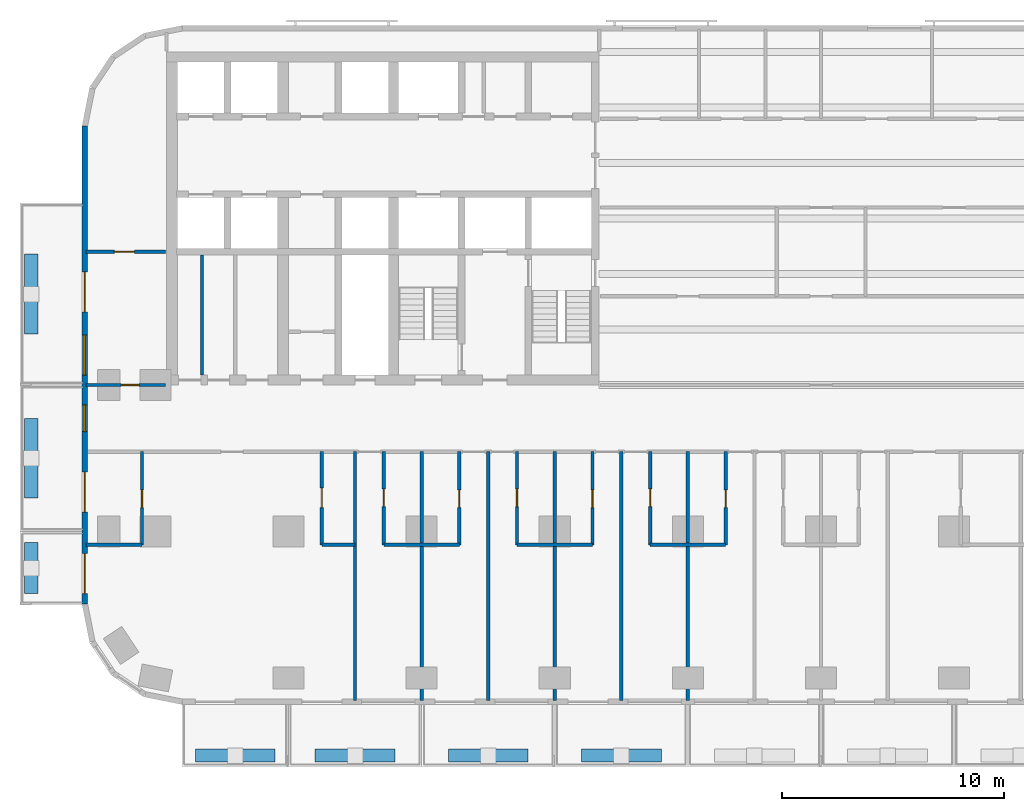
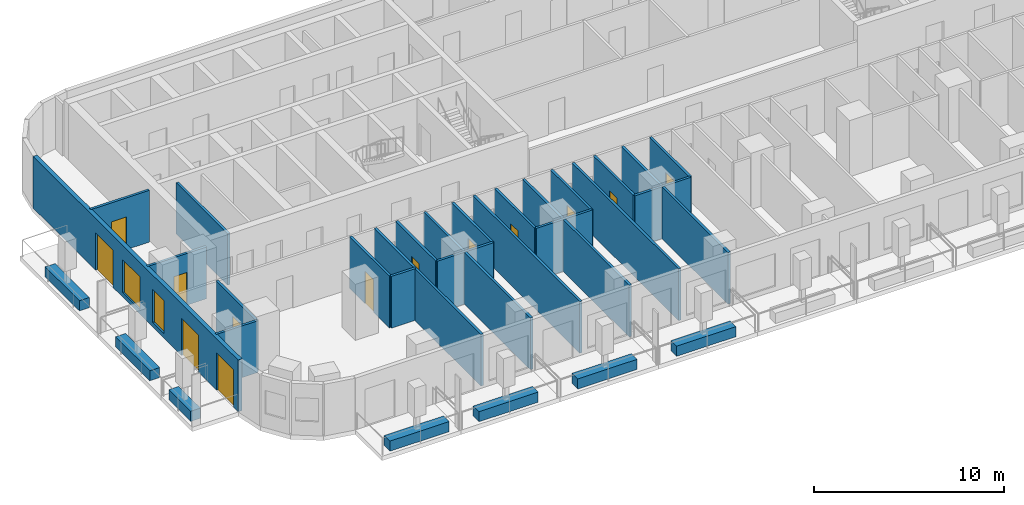
# One storey, part 2 of 15: 30 walls, 13 doors, 2 windows, 15 openings.
"""IFC4 building model written with IfcOpenShell, lengths in metres."""

from ifc_helpers import new_model, si_unit, direction, frame, frame_2d, origin, place, context, subcontext, project, spatial, rectangle, extrude, material, layer, layer_set, type_object, element, fill, save


model = new_model("IFC4")

# Units and contexts
model_context = context("Model", 3, precision=1e-05, world=origin(), true_north=direction((0.0, 1.0)))
body_context = subcontext(model_context, "Body", "Model", "MODEL_VIEW")
ifc_project = project(units=[si_unit("LENGTHUNIT", "METRE"), si_unit("AREAUNIT", "SQUARE_METRE"), si_unit("VOLUMEUNIT", "CUBIC_METRE"), si_unit("PLANEANGLEUNIT", "RADIAN"), si_unit("MASSUNIT", "GRAM", prefix="KILO")], contexts=[model_context])

# Site, building, storey
site_placement = place(None, origin())
site = spatial("IfcSite", under=ifc_project, at=site_placement, CompositionType="ELEMENT")
building_placement = place(site_placement, origin())
building = spatial("IfcBuilding", under=site, at=building_placement, Name="Torana Hotel and Residences", CompositionType="ELEMENT")
storey_placement = place(building_placement, frame((0.0, 0.0, 42.0)))
storey = spatial("IfcBuildingStorey", under=building, at=storey_placement, Name="L09", CompositionType="ELEMENT", Elevation=42.0)

# Wall, openings, doors, windows
ifc_material_1 = material(Name="Black aluminium composite panel", Category="aluminium")
ifc_layer_1 = layer(ifc_material_1, 0.00390625, Name="Cladding", Category="cladding")
ifc_material_2 = material(Name="Ventilated air cavity")
ifc_layer_2 = layer(ifc_material_2, 0.0400390625, Name="Ventilated cavity", Category="cavity")
ifc_material_3 = material(Name="Mineral wool insulation")
ifc_layer_3 = layer(ifc_material_3, 0.090087890625, Name="Insulation", Category="insulation")
ifc_material_4 = material(Name="Steel S280GD", Category="steel")
ifc_layer_4 = layer(ifc_material_4, 0.092041015625, Name="Steel stud frame", Category="structure")
ifc_material_5 = material(Name="Fire rated plasterboard")
ifc_layer_5 = layer(ifc_material_5, 0.011962890625, Name="Inner board", Category="finish")
ifc_layer_6 = layer(ifc_material_5, 0.011962890625, Name="Second board", Category="finish")
ifc_layer_set_1 = layer_set([ifc_layer_1, ifc_layer_2, ifc_layer_3, ifc_layer_4, ifc_layer_5, ifc_layer_6], Name="EW1 EXTERNAL WALL BLACK METAL CLAD 250")
wall_type_1 = type_object("IfcWallType", Name="EW1 EXTERNAL WALL BLACK METAL CLAD 250", PredefinedType="SOLIDWALL", material=ifc_layer_set_1)
wall_1_placement = place(storey_placement, frame((-33.175048828125, -3.32470703125, 0.0), z_axis=(0.0, 0.0, 1.0), x_axis=(0.0, -1.0, 0.0)))
wall_1 = element("IfcWall", 1, at=wall_1_placement, inside=storey, type_object=wall_type_1, Name="External wall L09 e0.9", PredefinedType="SOLIDWALL", context=body_context, shape_type="SweptSolid", body=[
    extrude(rectangle(XDim=21.55078125, YDim=0.25, at=frame_2d((10.775390625, 0.0))), origin(), (0.0, 0.0, 1.0), 3.320068359375),
])
opening_1_placement = place(wall_1_placement, frame((6.575439453125, 0.0, 0.0)))
opening_1 = element("IfcOpeningElement", 2, at=opening_1_placement, cuts=wall_1, Name="Opening L09-E14", PredefinedType="OPENING", context=body_context, shape_type="SweptSolid", body=[
    extrude(rectangle(XDim=1.800048828125, YDim=2.39990234375, at=frame_2d((0.89990234375, 1.199951171875))), frame((0.0, 0.135009765625, 0.0), z_axis=(0.0, -1.0, 0.0), x_axis=(1.0, 0.0, 0.0)), (0.0, 0.0, 1.0), 0.27001953125),
])
opening_2_placement = place(wall_1_placement, frame((9.42529296875, 0.0, 0.300048828125)))
opening_2 = element("IfcOpeningElement", 3, at=opening_2_placement, cuts=wall_1, Name="Opening W2", PredefinedType="OPENING", context=body_context, shape_type="SweptSolid", body=[
    extrude(rectangle(XDim=1.800048828125, YDim=2.10009765625, at=frame_2d((0.89990234375, 1.050048828125))), frame((0.0, 0.135009765625, 0.0), z_axis=(0.0, -1.0, 0.0), x_axis=(1.0, 0.0, 0.0)), (0.0, 0.0, 1.0), 0.27001953125),
])
opening_3_placement = place(wall_1_placement, frame((12.575439453125, 0.0, 0.300048828125)))
opening_3 = element("IfcOpeningElement", 4, at=opening_3_placement, cuts=wall_1, Name="Opening W7", PredefinedType="OPENING", context=body_context, shape_type="SweptSolid", body=[
    extrude(rectangle(XDim=1.199951171875, YDim=2.10009765625, at=frame_2d((0.60009765625, 1.050048828125))), frame((0.0, 0.135009765625, 0.0), z_axis=(0.0, -1.0, 0.0), x_axis=(1.0, 0.0, 0.0)), (0.0, 0.0, 1.0), 0.27001953125),
])
opening_4_placement = place(wall_1_placement, frame((15.600341796875, 0.0, 0.0)))
opening_4 = element("IfcOpeningElement", 5, at=opening_4_placement, cuts=wall_1, Name="Opening L09-E15", PredefinedType="OPENING", context=body_context, shape_type="SweptSolid", body=[
    extrude(rectangle(XDim=1.800048828125, YDim=2.39990234375, at=frame_2d((0.89990234375, 1.199951171875))), frame((0.0, 0.135009765625, 0.0), z_axis=(0.0, -1.0, 0.0), x_axis=(1.0, 0.0, 0.0)), (0.0, 0.0, 1.0), 0.27001953125),
])
opening_5_placement = place(wall_1_placement, frame((19.275390625, 0.0, 0.0)))
opening_5 = element("IfcOpeningElement", 6, at=opening_5_placement, cuts=wall_1, Name="Opening L09-E16", PredefinedType="OPENING", context=body_context, shape_type="SweptSolid", body=[
    extrude(rectangle(XDim=1.800048828125, YDim=2.39990234375, at=frame_2d((0.89990234375, 1.199951171875))), frame((0.0, 0.135009765625, 0.0), z_axis=(0.0, -1.0, 0.0), x_axis=(1.0, 0.0, 0.0)), (0.0, 0.0, 1.0), 0.27001953125),
])
ifc_material_6 = material(Name="Dark glass in black aluminium frame", Category="aluminium")
door_type_1 = type_object("IfcDoorType", Name="DB1 BALCONY DOOR 1800x2400", OperationType="DOUBLE_DOOR_SINGLE_SWING", PredefinedType="DOOR", material=ifc_material_6)
door_1_placement = place(opening_1_placement, origin())
door_1 = element("IfcDoor", 7, at=door_1_placement, inside=storey, type_object=door_type_1, Name="Balcony door L09", OperationType="DOUBLE_DOOR_SINGLE_SWING", OverallHeight=2.39990234375, OverallWidth=1.800048828125, PredefinedType="DOOR", context=body_context, shape_type="SweptSolid", body=[
    extrude(rectangle(XDim=1.800048828125, YDim=2.39990234375, at=frame_2d((0.89990234375, 1.199951171875))), frame((0.0, 0.02490234375, 0.0), z_axis=(0.0, -1.0, 0.0), x_axis=(1.0, 0.0, 0.0)), (0.0, 0.0, 1.0), 0.050048828125),
])
fill(opening_1, door_1)
door_2_placement = place(opening_4_placement, origin())
door_2 = element("IfcDoor", 8, at=door_2_placement, inside=storey, type_object=door_type_1, Name="Balcony door L09", OperationType="DOUBLE_DOOR_SINGLE_SWING", OverallHeight=2.39990234375, OverallWidth=1.800048828125, PredefinedType="DOOR", context=body_context, shape_type="SweptSolid", body=[
    extrude(rectangle(XDim=1.800048828125, YDim=2.39990234375, at=frame_2d((0.89990234375, 1.199951171875))), frame((0.0, 0.02490234375, 0.0), z_axis=(0.0, -1.0, 0.0), x_axis=(1.0, 0.0, 0.0)), (0.0, 0.0, 1.0), 0.050048828125),
])
fill(opening_4, door_2)
door_3_placement = place(opening_5_placement, origin())
door_3 = element("IfcDoor", 9, at=door_3_placement, inside=storey, type_object=door_type_1, Name="Balcony door L09", OperationType="DOUBLE_DOOR_SINGLE_SWING", OverallHeight=2.39990234375, OverallWidth=1.800048828125, PredefinedType="DOOR", context=body_context, shape_type="SweptSolid", body=[
    extrude(rectangle(XDim=1.800048828125, YDim=2.39990234375, at=frame_2d((0.89990234375, 1.199951171875))), frame((0.0, 0.02490234375, 0.0), z_axis=(0.0, -1.0, 0.0), x_axis=(1.0, 0.0, 0.0)), (0.0, 0.0, 1.0), 0.050048828125),
])
fill(opening_5, door_3)
ifc_material_7 = material(Name="Dark glass in black aluminium frame", Category="aluminium")
window_type_1 = type_object("IfcWindowType", Name="W2 HOTEL ROOM WINDOW NARROW 1800x2100", PartitioningType="SINGLE_PANEL", PredefinedType="WINDOW", material=ifc_material_7)
window_1_placement = place(opening_2_placement, origin())
window_1 = element("IfcWindow", 10, at=window_1_placement, inside=storey, type_object=window_type_1, Name="Window L09", OverallHeight=2.10009765625, OverallWidth=1.800048828125, PartitioningType="SINGLE_PANEL", PredefinedType="WINDOW", context=body_context, shape_type="SweptSolid", body=[
    extrude(rectangle(XDim=1.800048828125, YDim=2.10009765625, at=frame_2d((0.89990234375, 1.050048828125))), frame((0.0, 0.030029296875, 0.0), z_axis=(0.0, -1.0, 0.0), x_axis=(1.0, 0.0, 0.0)), (0.0, 0.0, 1.0), 0.06005859375),
])
fill(opening_2, window_1)
ifc_material_8 = material(Name="Dark glass in black aluminium frame", Category="aluminium")
window_type_2 = type_object("IfcWindowType", Name="W7 HOTEL CORRIDOR WINDOW 1200x2100", PartitioningType="SINGLE_PANEL", PredefinedType="WINDOW", material=ifc_material_8)
window_2_placement = place(opening_3_placement, origin())
window_2 = element("IfcWindow", 11, at=window_2_placement, inside=storey, type_object=window_type_2, Name="Window L09", OverallHeight=2.10009765625, OverallWidth=1.199951171875, PartitioningType="SINGLE_PANEL", PredefinedType="WINDOW", context=body_context, shape_type="SweptSolid", body=[
    extrude(rectangle(XDim=1.199951171875, YDim=2.10009765625, at=frame_2d((0.60009765625, 1.050048828125))), frame((0.0, 0.030029296875, 0.0), z_axis=(0.0, -1.0, 0.0), x_axis=(1.0, 0.0, 0.0)), (0.0, 0.0, 1.0), 0.06005859375),
])
fill(opening_3, window_2)

# Wall
ifc_material_9 = material(Name="Gypsum plaster")
ifc_layer_7 = layer(ifc_material_9, 0.014892578125, Name="Plaster", Category="finish")
ifc_material_10 = material(Name="Concrete blockwork", Category="masonry")
ifc_layer_8 = layer(ifc_material_10, 0.1201171875, Name="Blockwork", Category="structure")
ifc_layer_9 = layer(ifc_material_9, 0.014892578125, Name="Plaster", Category="finish")
ifc_layer_set_2 = layer_set([ifc_layer_7, ifc_layer_8, ifc_layer_9], Name="FIRE PARTITION 150 BLOCKWORK")
wall_type_2 = type_object("IfcWallType", Name="FIRE PARTITION 150 BLOCKWORK", PredefinedType="PARTITIONING", material=ifc_layer_set_2)
wall_2_placement = place(storey_placement, frame((-27.89990234375, -14.550048828125, 0.0), z_axis=(0.0, 0.0, 1.0), x_axis=(0.0, 1.0, 0.0)))
element("IfcWall", 12, at=wall_2_placement, inside=storey, type_object=wall_type_2, Name="Core partition L09", PredefinedType="PARTITIONING", context=body_context, shape_type="SweptSolid", body=[
    extrude(rectangle(XDim=5.400146484375, YDim=0.14990234375, at=frame_2d((2.7001953125, 0.0))), origin(), (0.0, 0.0, 1.0), 3.300048828125),
])

# Wall, opening, door
wall_3_placement = place(storey_placement, frame((-33.1201171875, -15.0, 0.0), z_axis=(0.0, 0.0, 1.0), x_axis=(1.0, 0.0, 0.0)))
wall_3 = element("IfcWall", 13, at=wall_3_placement, inside=storey, type_object=wall_type_2, Name="Partition L09", PredefinedType="PARTITIONING", context=body_context, shape_type="SweptSolid", body=[
    extrude(rectangle(XDim=3.570068359375, YDim=0.14990234375, at=frame_2d((1.78515625, 0.0))), origin(), (0.0, 0.0, 1.0), 3.320068359375),
])
opening_6_placement = place(wall_3_placement, frame((1.580078125, 0.0, 0.0)))
opening_6 = element("IfcOpeningElement", 14, at=opening_6_placement, cuts=wall_3, Name="Opening L09-55", PredefinedType="OPENING", context=body_context, shape_type="SweptSolid", body=[
    extrude(rectangle(XDim=0.800048828125, YDim=2.10009765625, at=frame_2d((0.39990234375, 1.050048828125))), frame((0.0, 0.0849609375, 0.0), z_axis=(0.0, -1.0, 0.0), x_axis=(1.0, 0.0, 0.0)), (0.0, 0.0, 1.0), 0.169921875),
])
ifc_material_11 = material(Name="Steel S235", Category="steel")
door_type_2 = type_object("IfcDoorType", Name="STORE FIRE DOOR D16 800x2100", OperationType="SINGLE_SWING_LEFT", PredefinedType="DOOR", material=ifc_material_11)
door_4_placement = place(opening_6_placement, origin())
door_4 = element("IfcDoor", 15, at=door_4_placement, inside=storey, type_object=door_type_2, Name="Door L09", OperationType="SINGLE_SWING_RIGHT", OverallHeight=2.10009765625, OverallWidth=0.800048828125, PredefinedType="DOOR", context=body_context, shape_type="SweptSolid", body=[
    extrude(rectangle(XDim=0.800048828125, YDim=2.10009765625, at=frame_2d((0.39990234375, 1.050048828125))), frame((0.0, 0.02490234375, 0.0), z_axis=(0.0, -1.0, 0.0), x_axis=(1.0, 0.0, 0.0)), (0.0, 0.0, 1.0), 0.050048828125),
])
fill(opening_6, door_4)

ifc_material_12 = material(Name="Gypsum plasterboard")
ifc_layer_10 = layer(ifc_material_12, 0.012451171875, Name="Plasterboard", Category="finish")
ifc_layer_11 = layer(ifc_material_12, 0.012451171875, Name="Plasterboard", Category="finish")
ifc_layer_12 = layer(ifc_material_4, 0.10009765625, Name="Steel studs with mineral wool", Category="insulation")
ifc_layer_13 = layer(ifc_material_12, 0.012451171875, Name="Plasterboard", Category="finish")
ifc_layer_14 = layer(ifc_material_12, 0.012451171875, Name="Plasterboard", Category="finish")
ifc_layer_set_3 = layer_set([ifc_layer_10, ifc_layer_11, ifc_layer_12, ifc_layer_13, ifc_layer_14], Name="PARTITION 150 PLASTERBOARD")
wall_type_3 = type_object("IfcWallType", Name="PARTITION 150 PLASTERBOARD", PredefinedType="PARTITIONING", material=ifc_layer_set_3)
wall_4_placement = place(storey_placement, frame((-4.300048828125, -22.199951171875, 0.0), z_axis=(0.0, 0.0, 1.0), x_axis=(0.0, 1.0, 0.0)))
wall_4 = element("IfcWall", 16, at=wall_4_placement, inside=storey, type_object=wall_type_3, Name="Partition L09", PredefinedType="PARTITIONING", context=body_context, shape_type="SweptSolid", body=[
    extrude(rectangle(XDim=4.199951171875, YDim=0.14990234375, at=frame_2d((2.10009765625, 0.0))), origin(), (0.0, 0.0, 1.0), 3.320068359375),
])
opening_7_placement = place(wall_4_placement, frame((1.679931640625, 0.0, 0.0)))
opening_7 = element("IfcOpeningElement", 17, at=opening_7_placement, cuts=wall_4, Name="Opening L09-71", PredefinedType="OPENING", context=body_context, shape_type="SweptSolid", body=[
    extrude(rectangle(XDim=0.800048828125, YDim=2.10009765625, at=frame_2d((0.39990234375, 1.050048828125))), frame((0.0, 0.0849609375, 0.0), z_axis=(0.0, -1.0, 0.0), x_axis=(1.0, 0.0, 0.0)), (0.0, 0.0, 1.0), 0.169921875),
])
ifc_material_13 = material(Name="Timber door, painted", Category="wood")
door_type_3 = type_object("IfcDoorType", Name="BATH DOOR D13 800x2100", OperationType="SINGLE_SWING_LEFT", PredefinedType="DOOR", material=ifc_material_13)
door_5_placement = place(opening_7_placement, origin())
door_5 = element("IfcDoor", 18, at=door_5_placement, inside=storey, type_object=door_type_3, Name="Door L09", OperationType="SINGLE_SWING_RIGHT", OverallHeight=2.10009765625, OverallWidth=0.800048828125, PredefinedType="DOOR", context=body_context, shape_type="SweptSolid", body=[
    extrude(rectangle(XDim=0.800048828125, YDim=2.10009765625, at=frame_2d((0.39990234375, 1.050048828125))), frame((0.0, 0.02490234375, 0.0), z_axis=(0.0, -1.0, 0.0), x_axis=(1.0, 0.0, 0.0)), (0.0, 0.0, 1.0), 0.050048828125),
])
fill(opening_7, door_5)

# Wall
wall_5_placement = place(storey_placement, frame((-6.0, -29.219970703125, 0.0), z_axis=(0.0, 0.0, 1.0), x_axis=(0.0, 1.0, 0.0)))
element("IfcWall", 19, at=wall_5_placement, inside=storey, type_object=wall_type_3, Name="Partition L09", PredefinedType="PARTITIONING", context=body_context, shape_type="SweptSolid", body=[
    extrude(rectangle(XDim=11.219970703125, YDim=0.14990234375, at=frame_2d((5.60986328125, 0.0))), origin(), (0.0, 0.0, 1.0), 3.320068359375),
])

# Wall, opening, door
wall_6_placement = place(storey_placement, frame((-7.699951171875, -22.199951171875, 0.0), z_axis=(0.0, 0.0, 1.0), x_axis=(0.0, 1.0, 0.0)))
wall_6 = element("IfcWall", 20, at=wall_6_placement, inside=storey, type_object=wall_type_3, Name="Partition L09", PredefinedType="PARTITIONING", context=body_context, shape_type="SweptSolid", body=[
    extrude(rectangle(XDim=4.199951171875, YDim=0.14990234375, at=frame_2d((2.10009765625, 0.0))), origin(), (0.0, 0.0, 1.0), 3.320068359375),
])
opening_8_placement = place(wall_6_placement, frame((1.719970703125, 0.0, 0.0)))
opening_8 = element("IfcOpeningElement", 21, at=opening_8_placement, cuts=wall_6, Name="Opening L09-70", PredefinedType="OPENING", context=body_context, shape_type="SweptSolid", body=[
    extrude(rectangle(XDim=0.800048828125, YDim=2.10009765625, at=frame_2d((0.39990234375, 1.050048828125))), frame((0.0, 0.0849609375, 0.0), z_axis=(0.0, -1.0, 0.0), x_axis=(1.0, 0.0, 0.0)), (0.0, 0.0, 1.0), 0.169921875),
])
door_6_placement = place(opening_8_placement, origin())
door_6 = element("IfcDoor", 22, at=door_6_placement, inside=storey, type_object=door_type_3, Name="Door L09", OperationType="SINGLE_SWING_RIGHT", OverallHeight=2.10009765625, OverallWidth=0.800048828125, PredefinedType="DOOR", context=body_context, shape_type="SweptSolid", body=[
    extrude(rectangle(XDim=0.800048828125, YDim=2.10009765625, at=frame_2d((0.39990234375, 1.050048828125))), frame((0.0, 0.02490234375, 0.0), z_axis=(0.0, -1.0, 0.0), x_axis=(1.0, 0.0, 0.0)), (0.0, 0.0, 1.0), 0.050048828125),
])
fill(opening_8, door_6)

# Wall
wall_7_placement = place(storey_placement, frame((-9.0, -29.219970703125, 0.0), z_axis=(0.0, 0.0, 1.0), x_axis=(0.0, 1.0, 0.0)))
element("IfcWall", 23, at=wall_7_placement, inside=storey, type_object=wall_type_3, Name="Partition L09", PredefinedType="PARTITIONING", context=body_context, shape_type="SweptSolid", body=[
    extrude(rectangle(XDim=11.219970703125, YDim=0.14990234375, at=frame_2d((5.60986328125, 0.0))), origin(), (0.0, 0.0, 1.0), 3.320068359375),
])

# Wall, opening, door
wall_8_placement = place(storey_placement, frame((-10.300048828125, -22.199951171875, 0.0), z_axis=(0.0, 0.0, 1.0), x_axis=(0.0, 1.0, 0.0)))
wall_8 = element("IfcWall", 24, at=wall_8_placement, inside=storey, type_object=wall_type_3, Name="Partition L09", PredefinedType="PARTITIONING", context=body_context, shape_type="SweptSolid", body=[
    extrude(rectangle(XDim=4.199951171875, YDim=0.14990234375, at=frame_2d((2.10009765625, 0.0))), origin(), (0.0, 0.0, 1.0), 3.320068359375),
])
opening_9_placement = place(wall_8_placement, frame((1.679931640625, 0.0, 0.0)))
opening_9 = element("IfcOpeningElement", 25, at=opening_9_placement, cuts=wall_8, Name="Opening L09-69", PredefinedType="OPENING", context=body_context, shape_type="SweptSolid", body=[
    extrude(rectangle(XDim=0.800048828125, YDim=2.10009765625, at=frame_2d((0.39990234375, 1.050048828125))), frame((0.0, 0.0849609375, 0.0), z_axis=(0.0, -1.0, 0.0), x_axis=(1.0, 0.0, 0.0)), (0.0, 0.0, 1.0), 0.169921875),
])
door_7_placement = place(opening_9_placement, origin())
door_7 = element("IfcDoor", 26, at=door_7_placement, inside=storey, type_object=door_type_3, Name="Door L09", OperationType="SINGLE_SWING_RIGHT", OverallHeight=2.10009765625, OverallWidth=0.800048828125, PredefinedType="DOOR", context=body_context, shape_type="SweptSolid", body=[
    extrude(rectangle(XDim=0.800048828125, YDim=2.10009765625, at=frame_2d((0.39990234375, 1.050048828125))), frame((0.0, 0.02490234375, 0.0), z_axis=(0.0, -1.0, 0.0), x_axis=(1.0, 0.0, 0.0)), (0.0, 0.0, 1.0), 0.050048828125),
])
fill(opening_9, door_7)

# Wall
wall_9_placement = place(storey_placement, frame((-12.0, -29.219970703125, 0.0), z_axis=(0.0, 0.0, 1.0), x_axis=(0.0, 1.0, 0.0)))
element("IfcWall", 27, at=wall_9_placement, inside=storey, type_object=wall_type_3, Name="Partition L09", PredefinedType="PARTITIONING", context=body_context, shape_type="SweptSolid", body=[
    extrude(rectangle(XDim=11.219970703125, YDim=0.14990234375, at=frame_2d((5.60986328125, 0.0))), origin(), (0.0, 0.0, 1.0), 3.320068359375),
])

# Wall, opening, door
wall_10_placement = place(storey_placement, frame((-13.699951171875, -22.199951171875, 0.0), z_axis=(0.0, 0.0, 1.0), x_axis=(0.0, 1.0, 0.0)))
wall_10 = element("IfcWall", 28, at=wall_10_placement, inside=storey, type_object=wall_type_3, Name="Partition L09", PredefinedType="PARTITIONING", context=body_context, shape_type="SweptSolid", body=[
    extrude(rectangle(XDim=4.199951171875, YDim=0.14990234375, at=frame_2d((2.10009765625, 0.0))), origin(), (0.0, 0.0, 1.0), 3.320068359375),
])
opening_10_placement = place(wall_10_placement, frame((1.719970703125, 0.0, 0.0)))
opening_10 = element("IfcOpeningElement", 29, at=opening_10_placement, cuts=wall_10, Name="Opening L09-68", PredefinedType="OPENING", context=body_context, shape_type="SweptSolid", body=[
    extrude(rectangle(XDim=0.800048828125, YDim=2.10009765625, at=frame_2d((0.39990234375, 1.050048828125))), frame((0.0, 0.0849609375, 0.0), z_axis=(0.0, -1.0, 0.0), x_axis=(1.0, 0.0, 0.0)), (0.0, 0.0, 1.0), 0.169921875),
])
door_8_placement = place(opening_10_placement, origin())
door_8 = element("IfcDoor", 30, at=door_8_placement, inside=storey, type_object=door_type_3, Name="Door L09", OperationType="SINGLE_SWING_RIGHT", OverallHeight=2.10009765625, OverallWidth=0.800048828125, PredefinedType="DOOR", context=body_context, shape_type="SweptSolid", body=[
    extrude(rectangle(XDim=0.800048828125, YDim=2.10009765625, at=frame_2d((0.39990234375, 1.050048828125))), frame((0.0, 0.02490234375, 0.0), z_axis=(0.0, -1.0, 0.0), x_axis=(1.0, 0.0, 0.0)), (0.0, 0.0, 1.0), 0.050048828125),
])
fill(opening_10, door_8)

# Wall
wall_11_placement = place(storey_placement, frame((-15.0, -29.219970703125, 0.0), z_axis=(0.0, 0.0, 1.0), x_axis=(0.0, 1.0, 0.0)))
element("IfcWall", 31, at=wall_11_placement, inside=storey, type_object=wall_type_3, Name="Partition L09", PredefinedType="PARTITIONING", context=body_context, shape_type="SweptSolid", body=[
    extrude(rectangle(XDim=11.219970703125, YDim=0.14990234375, at=frame_2d((5.60986328125, 0.0))), origin(), (0.0, 0.0, 1.0), 3.320068359375),
])

# Wall, opening, door
wall_12_placement = place(storey_placement, frame((-16.300048828125, -22.199951171875, 0.0), z_axis=(0.0, 0.0, 1.0), x_axis=(0.0, 1.0, 0.0)))
wall_12 = element("IfcWall", 32, at=wall_12_placement, inside=storey, type_object=wall_type_3, Name="Partition L09", PredefinedType="PARTITIONING", context=body_context, shape_type="SweptSolid", body=[
    extrude(rectangle(XDim=4.199951171875, YDim=0.14990234375, at=frame_2d((2.10009765625, 0.0))), origin(), (0.0, 0.0, 1.0), 3.320068359375),
])
opening_11_placement = place(wall_12_placement, frame((1.679931640625, 0.0, 0.0)))
opening_11 = element("IfcOpeningElement", 33, at=opening_11_placement, cuts=wall_12, Name="Opening L09-67", PredefinedType="OPENING", context=body_context, shape_type="SweptSolid", body=[
    extrude(rectangle(XDim=0.800048828125, YDim=2.10009765625, at=frame_2d((0.39990234375, 1.050048828125))), frame((0.0, 0.0849609375, 0.0), z_axis=(0.0, -1.0, 0.0), x_axis=(1.0, 0.0, 0.0)), (0.0, 0.0, 1.0), 0.169921875),
])
door_9_placement = place(opening_11_placement, origin())
door_9 = element("IfcDoor", 34, at=door_9_placement, inside=storey, type_object=door_type_3, Name="Door L09", OperationType="SINGLE_SWING_RIGHT", OverallHeight=2.10009765625, OverallWidth=0.800048828125, PredefinedType="DOOR", context=body_context, shape_type="SweptSolid", body=[
    extrude(rectangle(XDim=0.800048828125, YDim=2.10009765625, at=frame_2d((0.39990234375, 1.050048828125))), frame((0.0, 0.02490234375, 0.0), z_axis=(0.0, -1.0, 0.0), x_axis=(1.0, 0.0, 0.0)), (0.0, 0.0, 1.0), 0.050048828125),
])
fill(opening_11, door_9)

# Wall
wall_13_placement = place(storey_placement, frame((-18.0, -29.219970703125, 0.0), z_axis=(0.0, 0.0, 1.0), x_axis=(0.0, 1.0, 0.0)))
element("IfcWall", 35, at=wall_13_placement, inside=storey, type_object=wall_type_3, Name="Partition L09", PredefinedType="PARTITIONING", context=body_context, shape_type="SweptSolid", body=[
    extrude(rectangle(XDim=11.219970703125, YDim=0.14990234375, at=frame_2d((5.60986328125, 0.0))), origin(), (0.0, 0.0, 1.0), 3.320068359375),
])

# Wall, opening, door
wall_14_placement = place(storey_placement, frame((-19.699951171875, -22.199951171875, 0.0), z_axis=(0.0, 0.0, 1.0), x_axis=(0.0, 1.0, 0.0)))
wall_14 = element("IfcWall", 36, at=wall_14_placement, inside=storey, type_object=wall_type_3, Name="Partition L09", PredefinedType="PARTITIONING", context=body_context, shape_type="SweptSolid", body=[
    extrude(rectangle(XDim=4.199951171875, YDim=0.14990234375, at=frame_2d((2.10009765625, 0.0))), origin(), (0.0, 0.0, 1.0), 3.320068359375),
])
opening_12_placement = place(wall_14_placement, frame((1.719970703125, 0.0, 0.0)))
opening_12 = element("IfcOpeningElement", 37, at=opening_12_placement, cuts=wall_14, Name="Opening L09-66", PredefinedType="OPENING", context=body_context, shape_type="SweptSolid", body=[
    extrude(rectangle(XDim=0.800048828125, YDim=2.10009765625, at=frame_2d((0.39990234375, 1.050048828125))), frame((0.0, 0.0849609375, 0.0), z_axis=(0.0, -1.0, 0.0), x_axis=(1.0, 0.0, 0.0)), (0.0, 0.0, 1.0), 0.169921875),
])
door_10_placement = place(opening_12_placement, origin())
door_10 = element("IfcDoor", 38, at=door_10_placement, inside=storey, type_object=door_type_3, Name="Door L09", OperationType="SINGLE_SWING_RIGHT", OverallHeight=2.10009765625, OverallWidth=0.800048828125, PredefinedType="DOOR", context=body_context, shape_type="SweptSolid", body=[
    extrude(rectangle(XDim=0.800048828125, YDim=2.10009765625, at=frame_2d((0.39990234375, 1.050048828125))), frame((0.0, 0.02490234375, 0.0), z_axis=(0.0, -1.0, 0.0), x_axis=(1.0, 0.0, 0.0)), (0.0, 0.0, 1.0), 0.050048828125),
])
fill(opening_12, door_10)

# Wall
wall_15_placement = place(storey_placement, frame((-21.0, -29.219970703125, 0.0), z_axis=(0.0, 0.0, 1.0), x_axis=(0.0, 1.0, 0.0)))
element("IfcWall", 39, at=wall_15_placement, inside=storey, type_object=wall_type_3, Name="Partition L09", PredefinedType="PARTITIONING", context=body_context, shape_type="SweptSolid", body=[
    extrude(rectangle(XDim=11.219970703125, YDim=0.14990234375, at=frame_2d((5.60986328125, 0.0))), origin(), (0.0, 0.0, 1.0), 3.320068359375),
])

# Wall, opening, door
wall_16_placement = place(storey_placement, frame((-22.5, -22.199951171875, 0.0), z_axis=(0.0, 0.0, 1.0), x_axis=(0.0, 1.0, 0.0)))
wall_16 = element("IfcWall", 40, at=wall_16_placement, inside=storey, type_object=wall_type_3, Name="Partition L09", PredefinedType="PARTITIONING", context=body_context, shape_type="SweptSolid", body=[
    extrude(rectangle(XDim=4.199951171875, YDim=0.14990234375, at=frame_2d((2.10009765625, 0.0))), origin(), (0.0, 0.0, 1.0), 3.320068359375),
])
opening_13_placement = place(wall_16_placement, frame((1.669921875, 0.0, 0.0)))
opening_13 = element("IfcOpeningElement", 41, at=opening_13_placement, cuts=wall_16, Name="Opening L09-80", PredefinedType="OPENING", context=body_context, shape_type="SweptSolid", body=[
    extrude(rectangle(XDim=0.89990234375, YDim=2.10009765625, at=frame_2d((0.449951171875, 1.050048828125))), frame((0.0, 0.0849609375, 0.0), z_axis=(0.0, -1.0, 0.0), x_axis=(1.0, 0.0, 0.0)), (0.0, 0.0, 1.0), 0.169921875),
])
ifc_material_14 = material(Name="Timber door, oiled ash", Category="wood")
door_type_4 = type_object("IfcDoorType", Name="ROOM DOOR D7 900x2100", OperationType="SINGLE_SWING_LEFT", PredefinedType="DOOR", material=ifc_material_14)
door_11_placement = place(opening_13_placement, origin())
door_11 = element("IfcDoor", 42, at=door_11_placement, inside=storey, type_object=door_type_4, Name="Door L09", OperationType="SINGLE_SWING_RIGHT", OverallHeight=2.10009765625, OverallWidth=0.89990234375, PredefinedType="DOOR", context=body_context, shape_type="SweptSolid", body=[
    extrude(rectangle(XDim=0.89990234375, YDim=2.10009765625, at=frame_2d((0.449951171875, 1.050048828125))), frame((0.0, 0.02490234375, 0.0), z_axis=(0.0, -1.0, 0.0), x_axis=(1.0, 0.0, 0.0)), (0.0, 0.0, 1.0), 0.050048828125),
])
fill(opening_13, door_11)

wall_17_placement = place(storey_placement, frame((-30.60009765625, -22.199951171875, 0.0), z_axis=(0.0, 0.0, 1.0), x_axis=(0.0, 1.0, 0.0)))
wall_17 = element("IfcWall", 43, at=wall_17_placement, inside=storey, type_object=wall_type_3, Name="Partition L09", PredefinedType="PARTITIONING", context=body_context, shape_type="SweptSolid", body=[
    extrude(rectangle(XDim=4.199951171875, YDim=0.14990234375, at=frame_2d((2.10009765625, 0.0))), origin(), (0.0, 0.0, 1.0), 3.320068359375),
])
opening_14_placement = place(wall_17_placement, frame((1.679931640625, 0.0, 0.0)))
opening_14 = element("IfcOpeningElement", 44, at=opening_14_placement, cuts=wall_17, Name="Opening L09-81", PredefinedType="OPENING", context=body_context, shape_type="SweptSolid", body=[
    extrude(rectangle(XDim=0.800048828125, YDim=2.10009765625, at=frame_2d((0.39990234375, 1.050048828125))), frame((0.0, 0.0849609375, 0.0), z_axis=(0.0, -1.0, 0.0), x_axis=(1.0, 0.0, 0.0)), (0.0, 0.0, 1.0), 0.169921875),
])
door_12_placement = place(opening_14_placement, origin())
door_12 = element("IfcDoor", 45, at=door_12_placement, inside=storey, type_object=door_type_3, Name="Door L09", OperationType="SINGLE_SWING_RIGHT", OverallHeight=2.10009765625, OverallWidth=0.800048828125, PredefinedType="DOOR", context=body_context, shape_type="SweptSolid", body=[
    extrude(rectangle(XDim=0.800048828125, YDim=2.10009765625, at=frame_2d((0.39990234375, 1.050048828125))), frame((0.0, 0.02490234375, 0.0), z_axis=(0.0, -1.0, 0.0), x_axis=(1.0, 0.0, 0.0)), (0.0, 0.0, 1.0), 0.050048828125),
])
fill(opening_14, door_12)

# Walls
wall_18_placement = place(storey_placement, frame((-33.1201171875, -22.199951171875, 0.0), z_axis=(0.0, 0.0, 1.0), x_axis=(1.0, 0.0, 0.0)))
element("IfcWall", 46, at=wall_18_placement, inside=storey, type_object=wall_type_3, Name="Partition L09", PredefinedType="PARTITIONING", context=body_context, shape_type="SweptSolid", body=[
    extrude(rectangle(XDim=2.52001953125, YDim=0.14990234375, at=frame_2d((1.260009765625, 0.0))), origin(), (0.0, 0.0, 1.0), 3.320068359375),
])
wall_19_placement = place(storey_placement, frame((-22.5, -22.199951171875, 0.0), z_axis=(0.0, 0.0, 1.0), x_axis=(1.0, 0.0, 0.0)))
element("IfcWall", 47, at=wall_19_placement, inside=storey, type_object=wall_type_3, Name="Partition L09", PredefinedType="PARTITIONING", context=body_context, shape_type="SweptSolid", body=[
    extrude(rectangle(XDim=1.5, YDim=0.14990234375, at=frame_2d((0.75, 0.0))), origin(), (0.0, 0.0, 1.0), 3.320068359375),
])
for number, where, z_axis, x_axis, name in (
    (48, (-19.699951171875, -22.199951171875, 0.0), (0.0, 0.0, 1.0), (1.0, 0.0, 0.0), "Partition L09"),
    (49, (-13.699951171875, -22.199951171875, 0.0), (0.0, 0.0, 1.0), (1.0, 0.0, 0.0), "Partition L09"),
    (50, (-7.699951171875, -22.199951171875, 0.0), (0.0, 0.0, 1.0), (1.0, 0.0, 0.0), "Partition L09"),
):
    element("IfcWall", number, at=place(storey_placement, frame(where, z_axis=z_axis, x_axis=x_axis)), inside=storey, type_object=wall_type_3, Name=name, PredefinedType="PARTITIONING", context=body_context, shape_type="SweptSolid", body=[
        extrude(rectangle(XDim=3.39990234375, YDim=0.14990234375, at=frame_2d((1.699951171875, 0.0))), origin(), (0.0, 0.0, 1.0), 3.320068359375),
    ])

# Wall, opening, door
wall_20_placement = place(storey_placement, frame((-33.1201171875, -9.0, 0.0), z_axis=(0.0, 0.0, 1.0), x_axis=(1.0, 0.0, 0.0)))
wall_20 = element("IfcWall", 51, at=wall_20_placement, inside=storey, type_object=wall_type_3, Name="Partition L09", PredefinedType="PARTITIONING", context=body_context, shape_type="SweptSolid", body=[
    extrude(rectangle(XDim=3.570068359375, YDim=0.14990234375, at=frame_2d((1.78515625, 0.0))), origin(), (0.0, 0.0, 1.0), 3.320068359375),
])
opening_15_placement = place(wall_20_placement, frame((1.27001953125, 0.0, 0.0)))
opening_15 = element("IfcOpeningElement", 52, at=opening_15_placement, cuts=wall_20, Name="Opening L09-84", PredefinedType="OPENING", context=body_context, shape_type="SweptSolid", body=[
    extrude(rectangle(XDim=0.89990234375, YDim=2.10009765625, at=frame_2d((0.449951171875, 1.050048828125))), frame((0.0, 0.0849609375, 0.0), z_axis=(0.0, -1.0, 0.0), x_axis=(1.0, 0.0, 0.0)), (0.0, 0.0, 1.0), 0.169921875),
])
door_13_placement = place(opening_15_placement, origin())
door_13 = element("IfcDoor", 53, at=door_13_placement, inside=storey, type_object=door_type_4, Name="Door L09", OperationType="SINGLE_SWING_RIGHT", OverallHeight=2.10009765625, OverallWidth=0.89990234375, PredefinedType="DOOR", context=body_context, shape_type="SweptSolid", body=[
    extrude(rectangle(XDim=0.89990234375, YDim=2.10009765625, at=frame_2d((0.449951171875, 1.050048828125))), frame((0.0, 0.02490234375, 0.0), z_axis=(0.0, -1.0, 0.0), x_axis=(1.0, 0.0, 0.0)), (0.0, 0.0, 1.0), 0.050048828125),
])
fill(opening_15, door_13)

# Walls
ifc_material_15 = material(Name="Concrete C40/50 precast", Category="concrete")
ifc_layer_15 = layer(ifc_material_15, 0.10009765625, Name="Planter shell", Category="structure")
ifc_material_16 = material(Name="Root resistant membrane")
ifc_layer_16 = layer(ifc_material_16, 0.00390625, Name="Waterproofing membrane", Category="membrane")
ifc_material_17 = material(Name="Drainage board with filter fleece")
ifc_layer_17 = layer(ifc_material_17, 0.02001953125, Name="Drainage board", Category="drainage")
ifc_material_18 = material(Name="Growing medium")
ifc_layer_18 = layer(ifc_material_18, 0.47607421875, Name="Planting substrate", Category="soil")
ifc_layer_set_4 = layer_set([ifc_layer_15, ifc_layer_16, ifc_layer_17, ifc_layer_18], Name="PL1 BALCONY PLANTER 600")
wall_type_4 = type_object("IfcWallType", Name="PL1 BALCONY PLANTER 600", PredefinedType="USERDEFINED", material=ifc_layer_set_4)
wall_21_placement = place(storey_placement, frame((-24.60009765625, -31.699951171875, 0.0), z_axis=(0.0, 0.0, 1.0), x_axis=(-1.0, 0.0, 0.0)))
element("IfcWall", 54, at=wall_21_placement, inside=storey, type_object=wall_type_4, Name="Planter 01", ObjectType="PLANTER", PredefinedType="USERDEFINED", context=body_context, shape_type="SweptSolid", body=[
    extrude(rectangle(XDim=3.599853515625, YDim=0.60009765625, at=frame_2d((1.7998046875, 0.0))), origin(), (0.0, 0.0, 1.0), 0.64990234375),
])
for number, where, z_axis, x_axis, name in (
    (55, (-19.199951171875, -31.699951171875, 0.0), (0.0, 0.0, 1.0), (-1.0, 0.0, 0.0), "Planter 02"),
    (56, (-13.199951171875, -31.699951171875, 0.0), (0.0, 0.0, 1.0), (-1.0, 0.0, 0.0), "Planter 03"),
    (57, (-7.199951171875, -31.699951171875, 0.0), (0.0, 0.0, 1.0), (-1.0, 0.0, 0.0), "Planter 04"),
):
    element("IfcWall", number, at=place(storey_placement, frame(where, z_axis=z_axis, x_axis=x_axis)), inside=storey, type_object=wall_type_4, Name=name, ObjectType="PLANTER", PredefinedType="USERDEFINED", context=body_context, shape_type="SweptSolid", body=[
        extrude(rectangle(XDim=3.60009765625, YDim=0.60009765625, at=frame_2d((1.800048828125, 0.0))), origin(), (0.0, 0.0, 1.0), 0.64990234375),
    ])
wall_22_placement = place(storey_placement, frame((-35.60009765625, -24.39990234375, 0.0), z_axis=(0.0, 0.0, 1.0), x_axis=(0.0, 1.0, 0.0)))
element("IfcWall", 58, at=wall_22_placement, inside=storey, type_object=wall_type_4, Name="Planter 11", ObjectType="PLANTER", PredefinedType="USERDEFINED", context=body_context, shape_type="SweptSolid", body=[
    extrude(rectangle(XDim=2.2998046875, YDim=0.60009765625, at=frame_2d((1.14990234375, 0.0))), origin(), (0.0, 0.0, 1.0), 0.64990234375),
])
wall_23_placement = place(storey_placement, frame((-35.60009765625, -20.10009765625, 0.0), z_axis=(0.0, 0.0, 1.0), x_axis=(0.0, 1.0, 0.0)))
element("IfcWall", 59, at=wall_23_placement, inside=storey, type_object=wall_type_4, Name="Planter 12", ObjectType="PLANTER", PredefinedType="USERDEFINED", context=body_context, shape_type="SweptSolid", body=[
    extrude(rectangle(XDim=3.60009765625, YDim=0.60009765625, at=frame_2d((1.800048828125, 0.0))), origin(), (0.0, 0.0, 1.0), 0.64990234375),
])
wall_24_placement = place(storey_placement, frame((-35.60009765625, -12.699951171875, 0.0), z_axis=(0.0, 0.0, 1.0), x_axis=(0.0, 1.0, 0.0)))
element("IfcWall", 60, at=wall_24_placement, inside=storey, type_object=wall_type_4, Name="Planter 13", ObjectType="PLANTER", PredefinedType="USERDEFINED", context=body_context, shape_type="SweptSolid", body=[
    extrude(rectangle(XDim=3.599853515625, YDim=0.60009765625, at=frame_2d((1.7998046875, 0.0))), origin(), (0.0, 0.0, 1.0), 0.64990234375),
])

save(model, "model.ifc")
